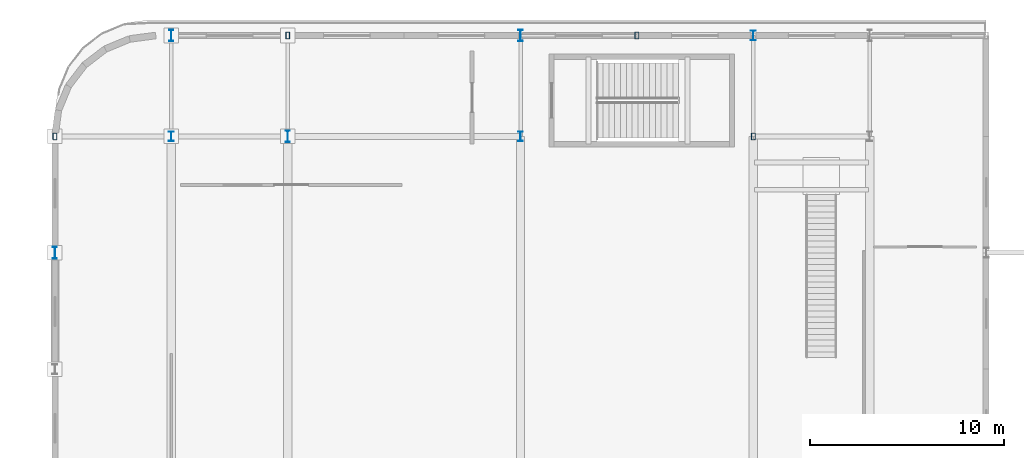
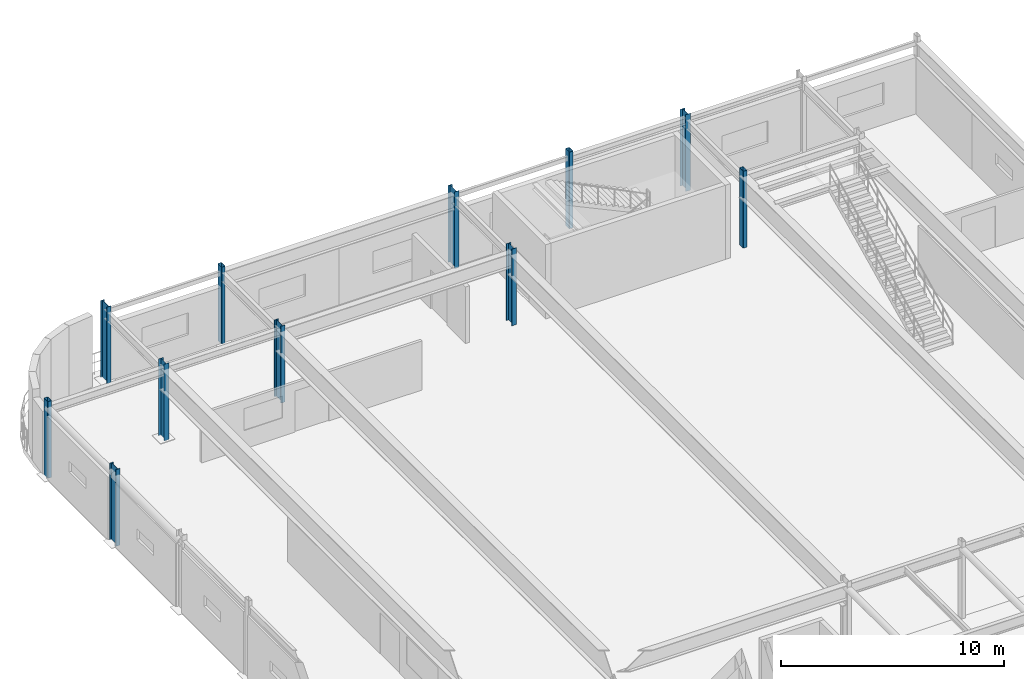
# One storey, part 14 of 116: 11 columns.
"""IFC4 building model written with IfcOpenShell, lengths in metres."""

from ifc_helpers import new_model, si_unit, direction, frame, origin, origin_2d, place, context, subcontext, project, spatial, hollow_rectangle, i_section, extrude, material, material_profile, profile_set, type_object, element, save


model = new_model("IFC4")

# Units and contexts
model_context = context("Model", 3, precision=1e-05, world=origin(), true_north=direction((0.0, 1.0)))
body_context = subcontext(model_context, "Body", "Model", "MODEL_VIEW")
ifc_project = project(units=[si_unit("LENGTHUNIT", "METRE"), si_unit("AREAUNIT", "SQUARE_METRE"), si_unit("VOLUMEUNIT", "CUBIC_METRE"), si_unit("PLANEANGLEUNIT", "RADIAN"), si_unit("MASSUNIT", "GRAM", prefix="KILO")], contexts=[model_context])

# Site, building, storey
site_placement = place(None, origin())
site = spatial("IfcSite", under=ifc_project, at=site_placement, CompositionType="ELEMENT")
building_placement = place(site_placement, origin())
building = spatial("IfcBuilding", under=site, at=building_placement, Name="Varnakota Square Police Headquarters", CompositionType="ELEMENT")
storey_placement = place(building_placement, frame((0.0, 0.0, 9.300048828125)))
storey = spatial("IfcBuildingStorey", under=building, at=storey_placement, Name="L02", CompositionType="ELEMENT", Elevation=9.300048828125)

# Columns
ifc_material = material(Name="Steel IS 2062 Grade 350", Category="steel")
ifc_material_profile_1 = material_profile(ifc_material, i_section(OverallWidth=0.2099609375, OverallDepth=0.60009765625, WebThickness=0.011962890625, FlangeThickness=0.020751953125, FilletRadius=0.02001953125, at=origin_2d()), Name="ISMB 600")
ifc_profile_set_1 = profile_set([ifc_material_profile_1], Name="Steel IS 2062 Grade 350")
column_type_1 = type_object("IfcColumnType", Name="COL-ISMB600", PredefinedType="COLUMN", material=ifc_profile_set_1)
for number, where, z_axis, x_axis, name in (
    (1, (6.0, 99.0, 0.0), (0.0, 0.0, 1.0), (1.0, 0.0, 0.0), "Column X0060-Y0990 L02"),
    (2, (12.0, 110.199951171875, 0.0), (0.0, 0.0, 1.0), (1.0, 0.0, 0.0), "Column X0120-Y1102 L02"),
    (3, (18.0, 105.0, 0.0), (0.0, 0.0, 1.0), (1.0, 0.0, 0.0), "Column X0180-Y1050 L02"),
    (4, (30.0, 110.199951171875, 0.0), (0.0, 0.0, 1.0), (1.0, 0.0, 0.0), "Column X0300-Y1102 L02"),
):
    element("IfcColumn", number, at=place(storey_placement, frame(where, z_axis=z_axis, x_axis=x_axis)), inside=storey, type_object=column_type_1, Name=name, PredefinedType="COLUMN", context=body_context, shape_type="SweptSolid", body=[
        extrude(i_section(OverallWidth=0.2099609375, OverallDepth=0.60009765625, WebThickness=0.011962890625, FlangeThickness=0.020751953125, FilletRadius=0.02001953125, at=origin_2d()), origin(), (0.0, 0.0, 1.0), 4.199951171875),
    ])
ifc_material_profile_2 = material_profile(ifc_material, i_section(OverallWidth=0.25, OverallDepth=0.5, WebThickness=0.010009765625, FlangeThickness=0.0146484375, FilletRadius=0.014892578125, at=origin_2d()), Name="ISWB 500")
ifc_profile_set_2 = profile_set([ifc_material_profile_2], Name="Steel IS 2062 Grade 350")
column_type_2 = type_object("IfcColumnType", Name="COL-ISWB500", PredefinedType="COLUMN", material=ifc_profile_set_2)
for number, where, z_axis, x_axis, name in (
    (5, (12.0, 105.0, 0.0), (0.0, 0.0, 1.0), (1.0, 0.0, 0.0), "Column X0120-Y1050 L02"),
    (6, (30.0, 105.0, 0.0), (0.0, 0.0, 1.0), (1.0, 0.0, 0.0), "Column X0300-Y1050 L02"),
    (7, (42.0, 110.199951171875, 0.0), (0.0, 0.0, 1.0), (1.0, 0.0, 0.0), "Column X0420-Y1102 L02"),
):
    element("IfcColumn", number, at=place(storey_placement, frame(where, z_axis=z_axis, x_axis=x_axis)), inside=storey, type_object=column_type_2, Name=name, PredefinedType="COLUMN", context=body_context, shape_type="SweptSolid", body=[
        extrude(i_section(OverallWidth=0.25, OverallDepth=0.5, WebThickness=0.010009765625, FlangeThickness=0.0146484375, FilletRadius=0.014892578125, at=origin_2d()), origin(), (0.0, 0.0, 1.0), 4.199951171875),
    ])
ifc_material_profile_3 = material_profile(ifc_material, hollow_rectangle(XDim=0.199951171875, YDim=0.35009765625, WallThickness=0.011962890625, InnerFilletRadius=0.011962890625, OuterFilletRadius=0.02392578125, at=origin_2d()), Name="RHS 350x200x12")
ifc_profile_set_3 = profile_set([ifc_material_profile_3], Name="Steel IS 2062 Grade 350")
column_type_3 = type_object("IfcColumnType", Name="COL-RHS350", PredefinedType="COLUMN", material=ifc_profile_set_3)
for number, where, z_axis, x_axis, name in (
    (8, (6.0, 105.0, 0.0), (0.0, 0.0, 1.0), (1.0, 0.0, 0.0), "Column X0060-Y1050 L02"),
    (9, (18.0, 110.199951171875, 0.0), (0.0, 0.0, 1.0), (1.0, 0.0, 0.0), "Column X0180-Y1102 L02"),
    (10, (36.0, 110.199951171875, 0.0), (0.0, 0.0, 1.0), (1.0, 0.0, 0.0), "Column X0360-Y1102 L02"),
    (11, (42.0, 105.0, 0.0), (0.0, 0.0, 1.0), (1.0, 0.0, 0.0), "Column X0420-Y1050 L02"),
):
    element("IfcColumn", number, at=place(storey_placement, frame(where, z_axis=z_axis, x_axis=x_axis)), inside=storey, type_object=column_type_3, Name=name, PredefinedType="COLUMN", context=body_context, shape_type="SweptSolid", body=[
        extrude(hollow_rectangle(XDim=0.199951171875, YDim=0.35009765625, WallThickness=0.011962890625, InnerFilletRadius=0.011962890625, OuterFilletRadius=0.02392578125, at=origin_2d()), origin(), (0.0, 0.0, 1.0), 4.199951171875),
    ])

save(model, "model.ifc")
